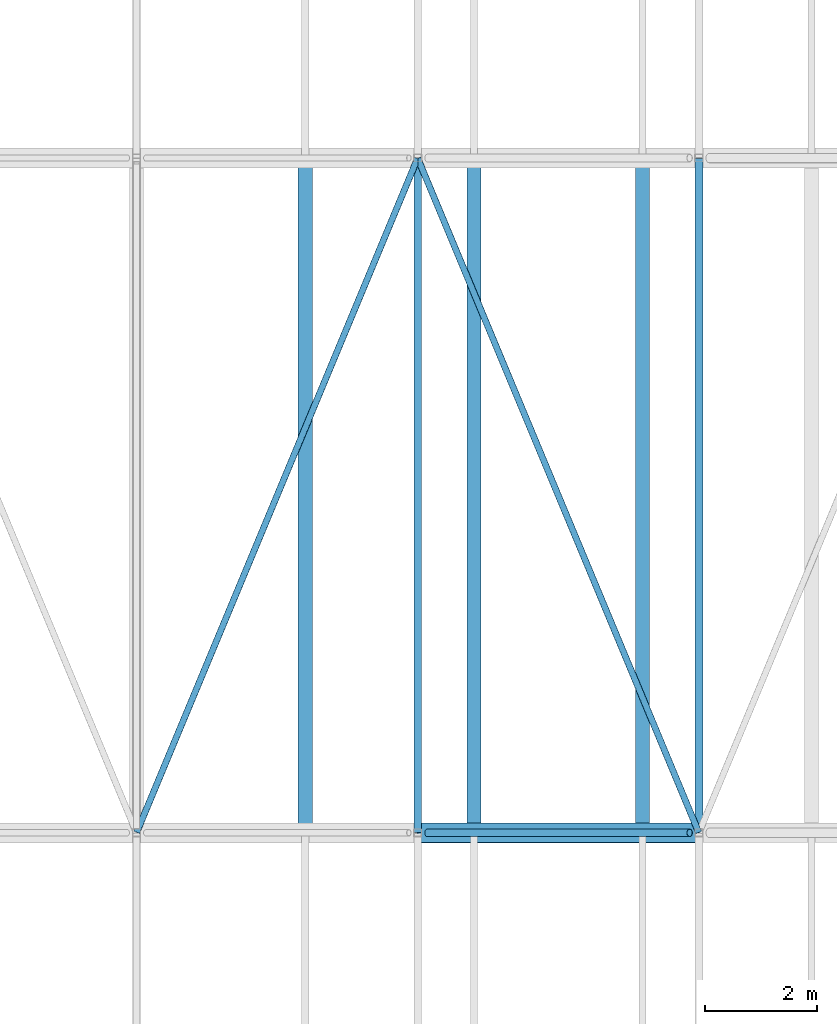
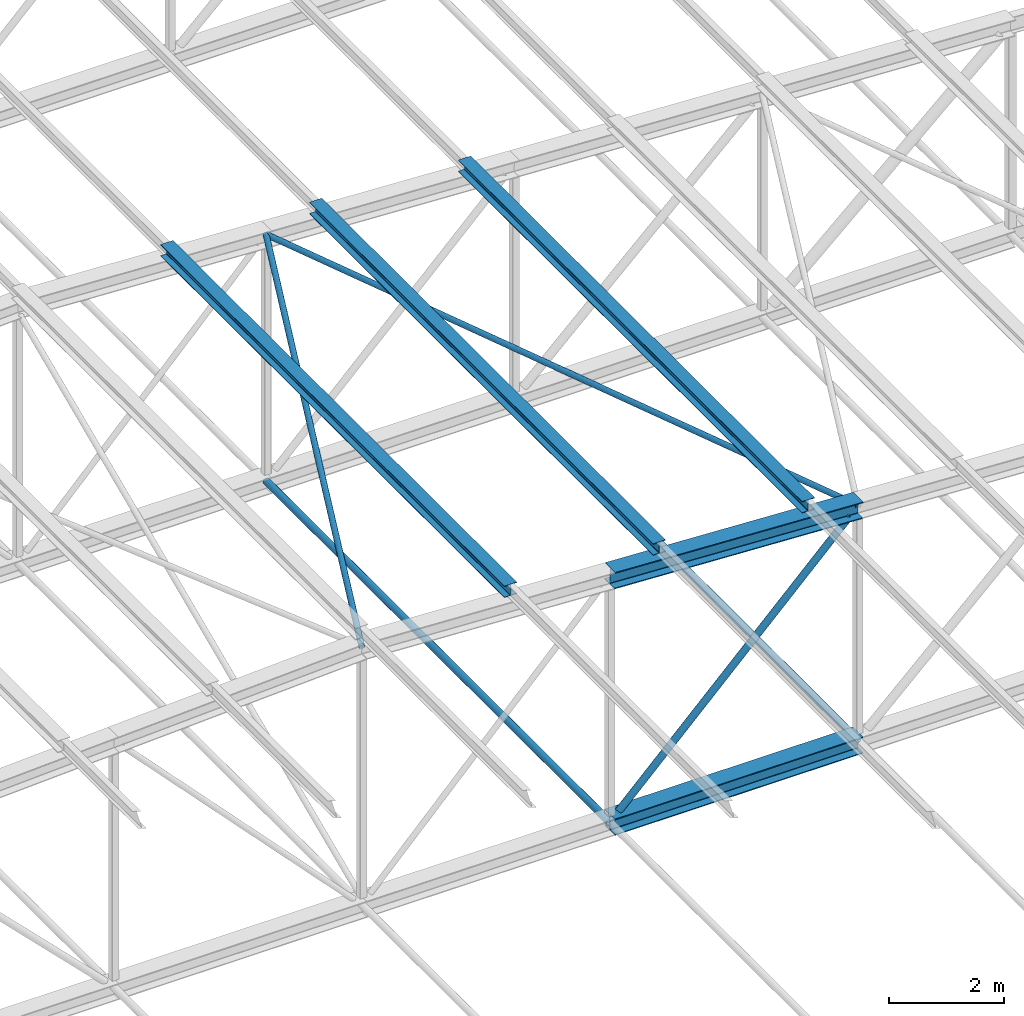
# One storey, part 100 of 156: 10 members.
"""IFC4 building model written with IfcOpenShell, lengths in metres."""

from ifc_helpers import new_model, si_unit, direction, frame, origin, origin_2d, place, context, subcontext, project, spatial, hollow_circle, i_section, extrude, material, material_profile, profile_set, type_object, element, save


model = new_model("IFC4")

# Units and contexts
model_context = context("Model", 3, precision=1e-05, world=origin(), true_north=direction((0.0, 1.0)))
body_context = subcontext(model_context, "Body", "Model", "MODEL_VIEW")
ifc_project = project(units=[si_unit("LENGTHUNIT", "METRE"), si_unit("AREAUNIT", "SQUARE_METRE"), si_unit("VOLUMEUNIT", "CUBIC_METRE"), si_unit("PLANEANGLEUNIT", "RADIAN"), si_unit("MASSUNIT", "GRAM", prefix="KILO")], contexts=[model_context])

# Site, building, storey
site_placement = place(None, origin())
site = spatial("IfcSite", under=ifc_project, at=site_placement, CompositionType="ELEMENT")
building_placement = place(site_placement, origin())
building = spatial("IfcBuilding", under=site, at=building_placement, Name="Lilac Gate Convention Centre", CompositionType="ELEMENT")
storey_placement = place(building_placement, frame((0.0, 0.0, 17.0)))
storey = spatial("IfcBuildingStorey", under=building, at=storey_placement, Name="L03", CompositionType="ELEMENT", Elevation=17.0)

# Members
ifc_material = material(Name="Steel Q355B", Category="steel")
ifc_material_profile_1 = material_profile(ifc_material, hollow_circle(Radius=0.06982421875, WallThickness=0.0048828125, at=origin_2d()), Name="CHS139.7x5")
ifc_profile_set_1 = profile_set([ifc_material_profile_1], Name="Steel Q355B")
member_type_1 = type_object("IfcMemberType", Name="Bottom chord tie CHS139.7x5", PredefinedType="STRUT", material=ifc_profile_set_1)
member_1_placement = place(storey_placement, frame((65.0, 174.009521484375, 0.0), z_axis=(0.0, 1.0, 0.0), x_axis=(-1.0, 0.0, 0.0)))
element("IfcMember", 1, at=member_1_placement, inside=storey, type_object=member_type_1, Name="ST1 tie bay 13 node 8", PredefinedType="STRUT", context=body_context, shape_type="SweptSolid", body=[
    extrude(hollow_circle(Radius=0.06982421875, WallThickness=0.0048828125, at=origin_2d()), origin(), (0.0, 0.0, 1.0), 11.98095703125),
])
member_2_placement = place(storey_placement, frame((70.0, 174.006103515625, 0.0), z_axis=(0.0, 1.0, 0.0), x_axis=(-1.0, 0.0, 0.0)))
element("IfcMember", 2, at=member_2_placement, inside=storey, type_object=member_type_1, Name="ST1 tie bay 13 node 9", PredefinedType="STRUT", context=body_context, shape_type="SweptSolid", body=[
    extrude(hollow_circle(Radius=0.06982421875, WallThickness=0.0048828125, at=origin_2d()), origin(), (0.0, 0.0, 1.0), 11.98779296875),
])
ifc_material_profile_2 = material_profile(ifc_material, hollow_circle(Radius=0.05712890625, WallThickness=0.0048828125, at=origin_2d()), Name="CHS114.3x5")
ifc_profile_set_2 = profile_set([ifc_material_profile_2], Name="Steel Q355B")
member_type_2 = type_object("IfcMemberType", Name="Roof plane bracing CHS114.3x5", PredefinedType="BRACE", material=ifc_profile_set_2)
member_3_placement = place(storey_placement, frame((60.00390625, 174.009521484375, 5.499755859375), z_axis=(0.384552349435, 0.922903071018, -0.01922009493), x_axis=(-0.923073584019, 0.384623398256, 0.0)))
element("IfcMember", 3, at=member_3_placement, inside=storey, type_object=member_type_2, Name="BR1 plan bracing bay 13 panel 7", PredefinedType="BRACE", context=body_context, shape_type="SweptSolid", body=[
    extrude(hollow_circle(Radius=0.05712890625, WallThickness=0.0048828125, at=origin_2d()), origin(), (0.0, 0.0, 1.0), 12.98193359375),
])
member_4_placement = place(storey_placement, frame((65.00244140625, 185.993896484375, 5.25), z_axis=(0.384557486582, -0.922900376645, -0.019246669905), x_axis=(0.923071361129, 0.384628733019, 0.0)))
element("IfcMember", 4, at=member_4_placement, inside=storey, type_object=member_type_2, Name="BR1 plan bracing bay 13 panel 8", PredefinedType="BRACE", context=body_context, shape_type="SweptSolid", body=[
    extrude(hollow_circle(Radius=0.05712890625, WallThickness=0.0048828125, at=origin_2d()), origin(), (0.0, 0.0, 1.0), 12.9892578125),
])
ifc_material_profile_3 = material_profile(ifc_material, i_section(OverallWidth=0.25, OverallDepth=0.25, WebThickness=0.009033203125, FlangeThickness=0.013916015625, FilletRadius=0.012939453125, at=origin_2d()), Name="HW250x250x9x14")
ifc_profile_set_3 = profile_set([ifc_material_profile_3], Name="Steel Q355B")
member_type_3 = type_object("IfcMemberType", Name="Roof purlin HW250x250x9x14", PredefinedType="PURLIN", material=ifc_profile_set_3)
for number, where, z_axis, x_axis, name in (
    (5, (63.0, 174.0, 5.650146484375), (0.0, 1.0, 0.0), (-1.0, 0.0, 0.0), "PU1 purlin bay 13 line 12"),
    (6, (66.0, 174.0, 5.500244140625), (0.0, 1.0, 0.0), (-1.0, 0.0, 0.0), "PU1 purlin bay 13 line 13"),
    (7, (69.0, 174.0, 5.35009765625), (0.0, 1.0, 0.0), (-1.0, 0.0, 0.0), "PU1 purlin bay 13 line 14"),
):
    element("IfcMember", number, at=place(storey_placement, frame(where, z_axis=z_axis, x_axis=x_axis)), inside=storey, type_object=member_type_3, Name=name, PredefinedType="PURLIN", context=body_context, shape_type="SweptSolid", body=[
        extrude(i_section(OverallWidth=0.25, OverallDepth=0.25, WebThickness=0.009033203125, FlangeThickness=0.013916015625, FilletRadius=0.012939453125, at=origin_2d()), origin(), (0.0, 0.0, 1.0), 12.0),
    ])
ifc_material_profile_4 = material_profile(ifc_material, i_section(OverallWidth=0.35693359375, OverallDepth=0.35009765625, WebThickness=0.01904296875, FlangeThickness=0.01904296875, FilletRadius=0.012939453125, at=origin_2d()), Name="HW350x357x19x19")
ifc_profile_set_4 = profile_set([ifc_material_profile_4], Name="Steel Q355B")
member_type_4 = type_object("IfcMemberType", Name="Truss bottom chord HW350x357x19x19", PredefinedType="CHORD", material=ifc_profile_set_4)
member_5_placement = place(storey_placement, frame((65.0, 174.0, 0.0), z_axis=(1.0, 0.0, 0.0), x_axis=(0.0, 1.0, 0.0)))
element("IfcMember", 8, at=member_5_placement, inside=storey, type_object=member_type_4, Name="TB3 truss 13 bottom chord 8", PredefinedType="CHORD", context=body_context, shape_type="SweptSolid", body=[
    extrude(i_section(OverallWidth=0.35693359375, OverallDepth=0.35009765625, WebThickness=0.01904296875, FlangeThickness=0.01904296875, FilletRadius=0.012939453125, at=origin_2d()), origin(), (0.0, 0.0, 1.0), 5.0),
])
ifc_material_profile_5 = material_profile(ifc_material, hollow_circle(Radius=0.06982421875, WallThickness=0.006103515625, at=origin_2d()), Name="CHS139.7x6")
ifc_profile_set_5 = profile_set([ifc_material_profile_5], Name="Steel Q355B")
member_type_5 = type_object("IfcMemberType", Name="Truss diagonal CHS139.7x6", PredefinedType="BRACE", material=ifc_profile_set_5)
member_6_placement = place(storey_placement, frame((69.835693359375, 174.0, 4.835693359375), z_axis=(-0.707106781187, 0.0, -0.707106781187), x_axis=(0.0, -1.0, 0.0)))
element("IfcMember", 9, at=member_6_placement, inside=storey, type_object=member_type_5, Name="TW5 truss 13 diagonal 8", PredefinedType="BRACE", context=body_context, shape_type="SweptSolid", body=[
    extrude(hollow_circle(Radius=0.06982421875, WallThickness=0.006103515625, at=origin_2d()), origin(), (0.0, 0.0, 1.0), 6.591064453125),
])
ifc_material_profile_6 = material_profile(ifc_material, i_section(OverallWidth=0.35009765625, OverallDepth=0.35009765625, WebThickness=0.011962890625, FlangeThickness=0.01904296875, FilletRadius=0.012939453125, at=origin_2d()), Name="HW350x350x12x19")
ifc_profile_set_6 = profile_set([ifc_material_profile_6], Name="Steel Q355B")
member_type_6 = type_object("IfcMemberType", Name="Truss top chord HW350x350x12x19", PredefinedType="CHORD", material=ifc_profile_set_6)
member_7_placement = place(storey_placement, frame((65.0, 174.0, 5.25), z_axis=(0.998752338878, 0.0, -0.049937616944), x_axis=(0.0, 1.0, 0.0)))
element("IfcMember", 10, at=member_7_placement, inside=storey, type_object=member_type_6, Name="TT2 truss 13 top chord 8", PredefinedType="CHORD", context=body_context, shape_type="SweptSolid", body=[
    extrude(i_section(OverallWidth=0.35009765625, OverallDepth=0.35009765625, WebThickness=0.011962890625, FlangeThickness=0.01904296875, FilletRadius=0.012939453125, at=origin_2d()), origin(), (0.0, 0.0, 1.0), 5.00634765625),
])

save(model, "model.ifc")
